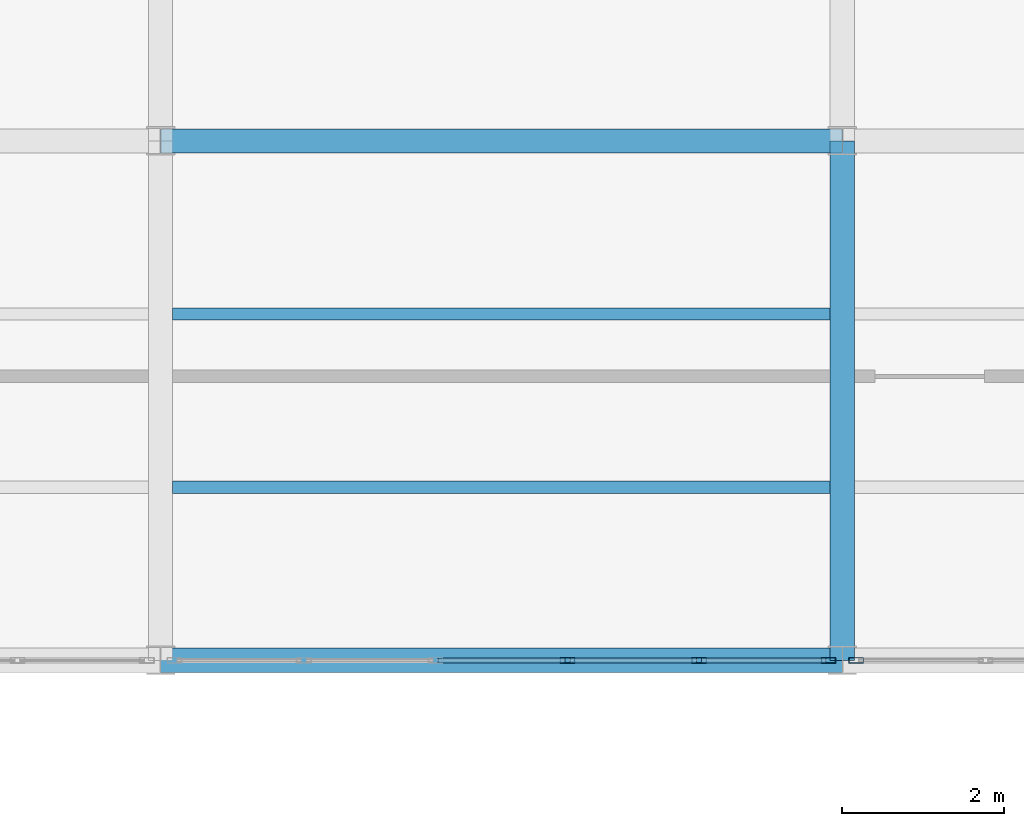
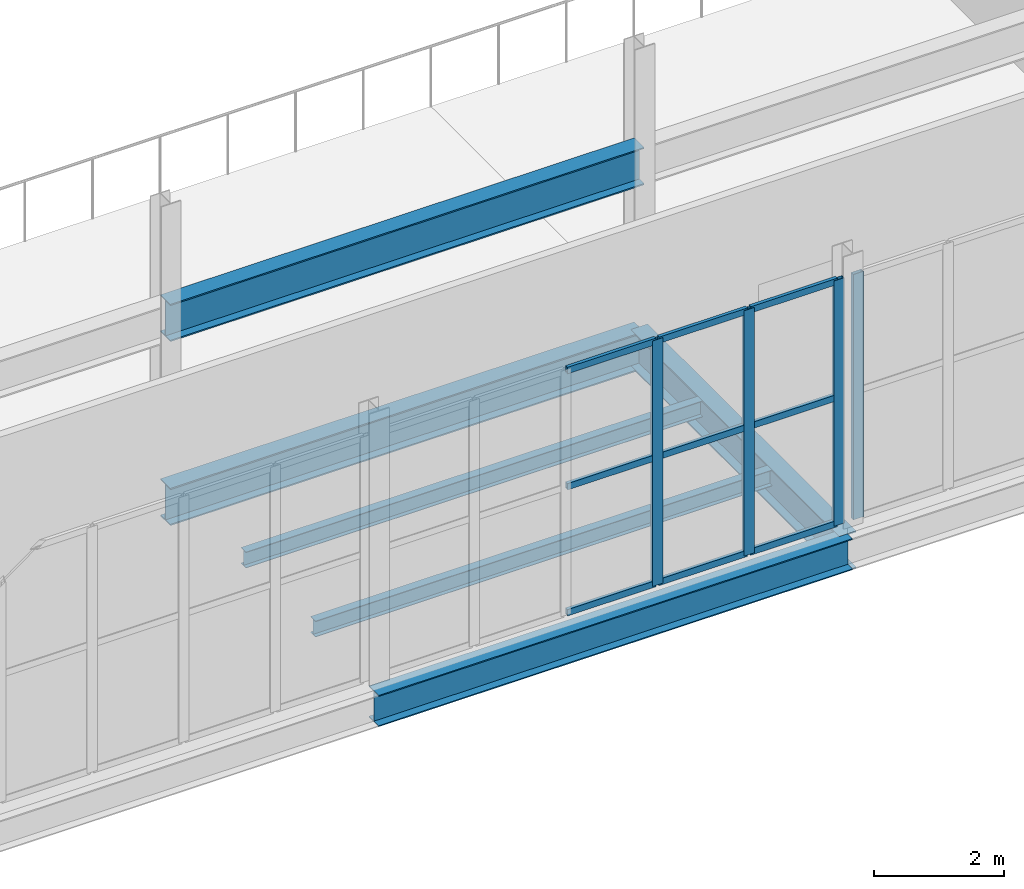
# One storey, part 66 of 218: 13 members, 6 beams, 2 elements without a shape of their own.
"""IFC4 building model written with IfcOpenShell, lengths in metres."""

from ifc_helpers import new_model, si_unit, direction, frame, origin, origin_2d, place, context, subcontext, project, spatial, hollow_rectangle, i_section, extrude, material, material_profile, profile_set, type_object, element, aggregate, save


model = new_model("IFC4")

# Units and contexts
model_context = context("Model", 3, precision=1e-05, world=origin(), true_north=direction((0.0, 1.0)))
body_context = subcontext(model_context, "Body", "Model", "MODEL_VIEW")
ifc_project = project(units=[si_unit("LENGTHUNIT", "METRE"), si_unit("AREAUNIT", "SQUARE_METRE"), si_unit("VOLUMEUNIT", "CUBIC_METRE"), si_unit("PLANEANGLEUNIT", "RADIAN"), si_unit("MASSUNIT", "GRAM", prefix="KILO")], contexts=[model_context])

# Site, building, storey
site_placement = place(None, origin())
site = spatial("IfcSite", under=ifc_project, at=site_placement, CompositionType="ELEMENT")
building_placement = place(site_placement, origin())
building = spatial("IfcBuilding", under=site, at=building_placement, Name="Kazenagashi Tramway Depot", CompositionType="ELEMENT")
storey_placement = place(building_placement, frame((0.0, 0.0, 6.0)))
storey = spatial("IfcBuildingStorey", under=building, at=storey_placement, Name="L02", CompositionType="ELEMENT", Elevation=6.0)

# Beams
ifc_material_1 = material(Name="Steel SN490B", Category="steel")
ifc_material_profile_1 = material_profile(ifc_material_1, i_section(OverallWidth=0.3, OverallDepth=0.7, WebThickness=0.013, FlangeThickness=0.024, at=origin_2d()), Name="H-700x300x13x24")
ifc_profile_set_1 = profile_set([ifc_material_profile_1], Name="Steel SN490B")
beam_type_1 = type_object("IfcBeamType", Name="G-02", PredefinedType="BEAM", material=ifc_profile_set_1)
beam_1_placement = place(storey_placement, frame((86.8, 22.9, -0.6), z_axis=(1.0, 0.0, 0.0), x_axis=(0.0, 1.0, 0.0)))
element("IfcBeam", 1, at=beam_1_placement, inside=storey, type_object=beam_type_1, Name="Beam G-02 BM-1011", PredefinedType="BEAM", context=body_context, shape_type="SweptSolid", body=[
    extrude(i_section(OverallWidth=0.3, OverallDepth=0.7, WebThickness=0.013, FlangeThickness=0.024, at=origin_2d()), origin(), (0.0, 0.0, 1.0), 8.4),
])
beam_2_placement = place(storey_placement, frame((95.2, 16.5, -0.6), z_axis=(0.0, 1.0, 0.0), x_axis=(-1.0, 0.0, 0.0)))
element("IfcBeam", 2, at=beam_2_placement, inside=storey, type_object=beam_type_1, Name="Beam G-02 BM-1065", PredefinedType="BEAM", context=body_context, shape_type="SweptSolid", body=[
    extrude(i_section(OverallWidth=0.3, OverallDepth=0.7, WebThickness=0.013, FlangeThickness=0.024, at=origin_2d()), origin(), (0.0, 0.0, 1.0), 6.4),
])
beam_3_placement = place(storey_placement, frame((86.8, 22.9, 2.85), z_axis=(1.0, 0.0, 0.0), x_axis=(0.0, 1.0, 0.0)))
element("IfcBeam", 3, at=beam_3_placement, inside=storey, type_object=beam_type_1, Name="Beam G-02 BM-1154", PredefinedType="BEAM", context=body_context, shape_type="SweptSolid", body=[
    extrude(i_section(OverallWidth=0.3, OverallDepth=0.7, WebThickness=0.013, FlangeThickness=0.024, at=origin_2d()), origin(), (0.0, 0.0, 1.0), 8.4),
])
ifc_material_2 = material(Name="Steel SN400B", Category="steel")
ifc_material_profile_2 = material_profile(ifc_material_2, i_section(OverallWidth=0.15, OverallDepth=0.3, WebThickness=0.0065, FlangeThickness=0.009, at=origin_2d()), Name="H-300x150x6.5x9")
ifc_profile_set_2 = profile_set([ifc_material_profile_2], Name="Steel SN400B")
beam_type_2 = type_object("IfcBeamType", Name="J-02", PredefinedType="JOIST", material=ifc_profile_set_2)
for number, where, z_axis, x_axis, name in (
    (4, (86.95, 18.633, -0.4), (1.0, 0.0, 0.0), (0.0, 1.0, 0.0), "Beam J-02 BM-1060"),
    (5, (86.95, 20.767, -0.4), (1.0, 0.0, 0.0), (0.0, 1.0, 0.0), "Beam J-02 BM-1061"),
):
    element("IfcBeam", number, at=place(storey_placement, frame(where, z_axis=z_axis, x_axis=x_axis)), inside=storey, type_object=beam_type_2, Name=name, PredefinedType="JOIST", context=body_context, shape_type="SweptSolid", body=[
        extrude(i_section(OverallWidth=0.15, OverallDepth=0.3, WebThickness=0.0065, FlangeThickness=0.009, at=origin_2d()), origin(), (0.0, 0.0, 1.0), 8.1),
    ])

# Curtain wall, members
ifc_material_3 = material(Name="Anodised Aluminium and Low-E Glazing", Category="aluminium")
curtain_wall_type = type_object("IfcCurtainWallType", Name="CW-20", PredefinedType="USERDEFINED", material=ifc_material_3)
curtain_wall_1_placement = place(storey_placement, origin())
curtain_wall_1 = element("IfcCurtainWall", 6, at=curtain_wall_1_placement, inside=storey, type_object=curtain_wall_type, Name="Industrial Glazed Screen CW-20 CW-0100", ObjectType="GLAZED SCREEN", PredefinedType="USERDEFINED")
ifc_material_4 = material(Name="Anodised Aluminium", Category="aluminium")
ifc_material_profile_3 = material_profile(ifc_material_4, hollow_rectangle(XDim=0.07, YDim=0.18, WallThickness=0.005, at=origin_2d()), Name="RHS-180x70x5")
ifc_profile_set_3 = profile_set([ifc_material_profile_3], Name="Anodised Aluminium")
member_type_1 = type_object("IfcMemberType", Name="ML-02", PredefinedType="MULLION", material=ifc_profile_set_3)
member_1_placement = place(storey_placement, frame((91.812, 16.5, 0.0), z_axis=(0.0, 0.0, 1.0), x_axis=(0.0, 1.0, 0.0)))
member_1 = element("IfcMember", 7, at=member_1_placement, type_object=member_type_1, Name="CW-20 mullion 4", PredefinedType="MULLION", context=body_context, shape_type="SweptSolid", body=[
    extrude(hollow_rectangle(XDim=0.07, YDim=0.18, WallThickness=0.005, at=origin_2d()), origin(), (0.0, 0.0, 1.0), 4.6),
])
member_2_placement = place(storey_placement, frame((93.436, 16.5, 0.0), z_axis=(0.0, 0.0, 1.0), x_axis=(0.0, 1.0, 0.0)))
member_2 = element("IfcMember", 8, at=member_2_placement, type_object=member_type_1, Name="CW-20 mullion 5", PredefinedType="MULLION", context=body_context, shape_type="SweptSolid", body=[
    extrude(hollow_rectangle(XDim=0.07, YDim=0.18, WallThickness=0.005, at=origin_2d()), origin(), (0.0, 0.0, 1.0), 4.6),
])
member_3_placement = place(storey_placement, frame((95.03, 16.5, 0.0), z_axis=(0.0, 0.0, 1.0), x_axis=(0.0, 1.0, 0.0)))
member_3 = element("IfcMember", 9, at=member_3_placement, type_object=member_type_1, Name="CW-20 mullion 6", PredefinedType="MULLION", context=body_context, shape_type="SweptSolid", body=[
    extrude(hollow_rectangle(XDim=0.07, YDim=0.18, WallThickness=0.005, at=origin_2d()), origin(), (0.0, 0.0, 1.0), 4.6),
])

# Curtain wall, member
curtain_wall_2_placement = place(storey_placement, origin())
curtain_wall_2 = element("IfcCurtainWall", 10, at=curtain_wall_2_placement, inside=storey, type_object=curtain_wall_type, Name="Industrial Glazed Screen CW-20 CW-0101", ObjectType="GLAZED SCREEN", PredefinedType="USERDEFINED")
member_4_placement = place(storey_placement, frame((95.37, 16.5, 0.0), z_axis=(0.0, 0.0, 1.0), x_axis=(0.0, 1.0, 0.0)))
member_4 = element("IfcMember", 11, at=member_4_placement, type_object=member_type_1, Name="CW-20 mullion 1", PredefinedType="MULLION", context=body_context, shape_type="SweptSolid", body=[
    extrude(hollow_rectangle(XDim=0.07, YDim=0.18, WallThickness=0.005, at=origin_2d()), origin(), (0.0, 0.0, 1.0), 4.6),
])
aggregate(curtain_wall_2, [member_4])

# Beam
ifc_material_profile_4 = material_profile(ifc_material_1, i_section(OverallWidth=0.3, OverallDepth=0.588, WebThickness=0.012, FlangeThickness=0.02, at=origin_2d()), Name="H-588x300x12x20")
ifc_profile_set_4 = profile_set([ifc_material_profile_4], Name="Steel SN490B")
beam_type_3 = type_object("IfcBeamType", Name="SP-01", PredefinedType="SPANDREL", material=ifc_profile_set_4)
beam_4_placement = place(storey_placement, frame((86.8, 16.5, -0.544), z_axis=(1.0, 0.0, 0.0), x_axis=(0.0, 1.0, 0.0)))
element("IfcBeam", 12, at=beam_4_placement, inside=storey, type_object=beam_type_3, Name="Beam SP-01 BM-0999", PredefinedType="SPANDREL", context=body_context, shape_type="SweptSolid", body=[
    extrude(i_section(OverallWidth=0.3, OverallDepth=0.588, WebThickness=0.012, FlangeThickness=0.02, at=origin_2d()), origin(), (0.0, 0.0, 1.0), 8.4),
])

# Member
ifc_material_profile_5 = material_profile(ifc_material_4, hollow_rectangle(XDim=0.06, YDim=0.12, WallThickness=0.004, at=origin_2d()), Name="RHS-120x60x4")
ifc_profile_set_5 = profile_set([ifc_material_profile_5], Name="Anodised Aluminium")
member_type_2 = type_object("IfcMemberType", Name="TR-01", PredefinedType="USERDEFINED", material=ifc_profile_set_5)
member_5_placement = place(storey_placement, frame((90.218, 16.5, 0.03), z_axis=(1.0, 0.0, 0.0), x_axis=(0.0, 1.0, 0.0)))
member_5 = element("IfcMember", 13, at=member_5_placement, type_object=member_type_2, Name="CW-20 transom 3.1", ObjectType="TRANSOM", PredefinedType="USERDEFINED", context=body_context, shape_type="SweptSolid", body=[
    extrude(hollow_rectangle(XDim=0.06, YDim=0.12, WallThickness=0.004, at=origin_2d()), origin(), (0.0, 0.0, 1.0), 1.564),
])

member_6_placement = place(storey_placement, frame((90.218, 16.5, 2.392), z_axis=(1.0, 0.0, 0.0), x_axis=(0.0, 1.0, 0.0)))
member_6 = element("IfcMember", 14, at=member_6_placement, type_object=member_type_2, Name="CW-20 transom 3.2", ObjectType="TRANSOM", PredefinedType="USERDEFINED", context=body_context, shape_type="SweptSolid", body=[
    extrude(hollow_rectangle(XDim=0.06, YDim=0.12, WallThickness=0.004, at=origin_2d()), origin(), (0.0, 0.0, 1.0), 1.564),
])

member_7_placement = place(storey_placement, frame((90.218, 16.5, 4.57), z_axis=(1.0, 0.0, 0.0), x_axis=(0.0, 1.0, 0.0)))
member_7 = element("IfcMember", 15, at=member_7_placement, type_object=member_type_2, Name="CW-20 transom 3.3", ObjectType="TRANSOM", PredefinedType="USERDEFINED", context=body_context, shape_type="SweptSolid", body=[
    extrude(hollow_rectangle(XDim=0.06, YDim=0.12, WallThickness=0.004, at=origin_2d()), origin(), (0.0, 0.0, 1.0), 1.564),
])

member_8_placement = place(storey_placement, frame((91.842, 16.5, 0.03), z_axis=(1.0, 0.0, 0.0), x_axis=(0.0, 1.0, 0.0)))
member_8 = element("IfcMember", 16, at=member_8_placement, type_object=member_type_2, Name="CW-20 transom 4.1", ObjectType="TRANSOM", PredefinedType="USERDEFINED", context=body_context, shape_type="SweptSolid", body=[
    extrude(hollow_rectangle(XDim=0.06, YDim=0.12, WallThickness=0.004, at=origin_2d()), origin(), (0.0, 0.0, 1.0), 1.564),
])

member_9_placement = place(storey_placement, frame((91.842, 16.5, 2.392), z_axis=(1.0, 0.0, 0.0), x_axis=(0.0, 1.0, 0.0)))
member_9 = element("IfcMember", 17, at=member_9_placement, type_object=member_type_2, Name="CW-20 transom 4.2", ObjectType="TRANSOM", PredefinedType="USERDEFINED", context=body_context, shape_type="SweptSolid", body=[
    extrude(hollow_rectangle(XDim=0.06, YDim=0.12, WallThickness=0.004, at=origin_2d()), origin(), (0.0, 0.0, 1.0), 1.564),
])

member_10_placement = place(storey_placement, frame((91.842, 16.5, 4.57), z_axis=(1.0, 0.0, 0.0), x_axis=(0.0, 1.0, 0.0)))
member_10 = element("IfcMember", 18, at=member_10_placement, type_object=member_type_2, Name="CW-20 transom 4.3", ObjectType="TRANSOM", PredefinedType="USERDEFINED", context=body_context, shape_type="SweptSolid", body=[
    extrude(hollow_rectangle(XDim=0.06, YDim=0.12, WallThickness=0.004, at=origin_2d()), origin(), (0.0, 0.0, 1.0), 1.564),
])

member_11_placement = place(storey_placement, frame((93.466, 16.5, 0.03), z_axis=(1.0, 0.0, 0.0), x_axis=(0.0, 1.0, 0.0)))
member_11 = element("IfcMember", 19, at=member_11_placement, type_object=member_type_2, Name="CW-20 transom 5.1", ObjectType="TRANSOM", PredefinedType="USERDEFINED", context=body_context, shape_type="SweptSolid", body=[
    extrude(hollow_rectangle(XDim=0.06, YDim=0.12, WallThickness=0.004, at=origin_2d()), origin(), (0.0, 0.0, 1.0), 1.534),
])

member_12_placement = place(storey_placement, frame((93.466, 16.5, 2.392), z_axis=(1.0, 0.0, 0.0), x_axis=(0.0, 1.0, 0.0)))
member_12 = element("IfcMember", 20, at=member_12_placement, type_object=member_type_2, Name="CW-20 transom 5.2", ObjectType="TRANSOM", PredefinedType="USERDEFINED", context=body_context, shape_type="SweptSolid", body=[
    extrude(hollow_rectangle(XDim=0.06, YDim=0.12, WallThickness=0.004, at=origin_2d()), origin(), (0.0, 0.0, 1.0), 1.534),
])

member_13_placement = place(storey_placement, frame((93.466, 16.5, 4.57), z_axis=(1.0, 0.0, 0.0), x_axis=(0.0, 1.0, 0.0)))
member_13 = element("IfcMember", 21, at=member_13_placement, type_object=member_type_2, Name="CW-20 transom 5.3", ObjectType="TRANSOM", PredefinedType="USERDEFINED", context=body_context, shape_type="SweptSolid", body=[
    extrude(hollow_rectangle(XDim=0.06, YDim=0.12, WallThickness=0.004, at=origin_2d()), origin(), (0.0, 0.0, 1.0), 1.534),
])

aggregate(curtain_wall_1, [member_1, member_2, member_3, member_5, member_6, member_7, member_8, member_9, member_10, member_11, member_12, member_13])

save(model, "model.ifc")
